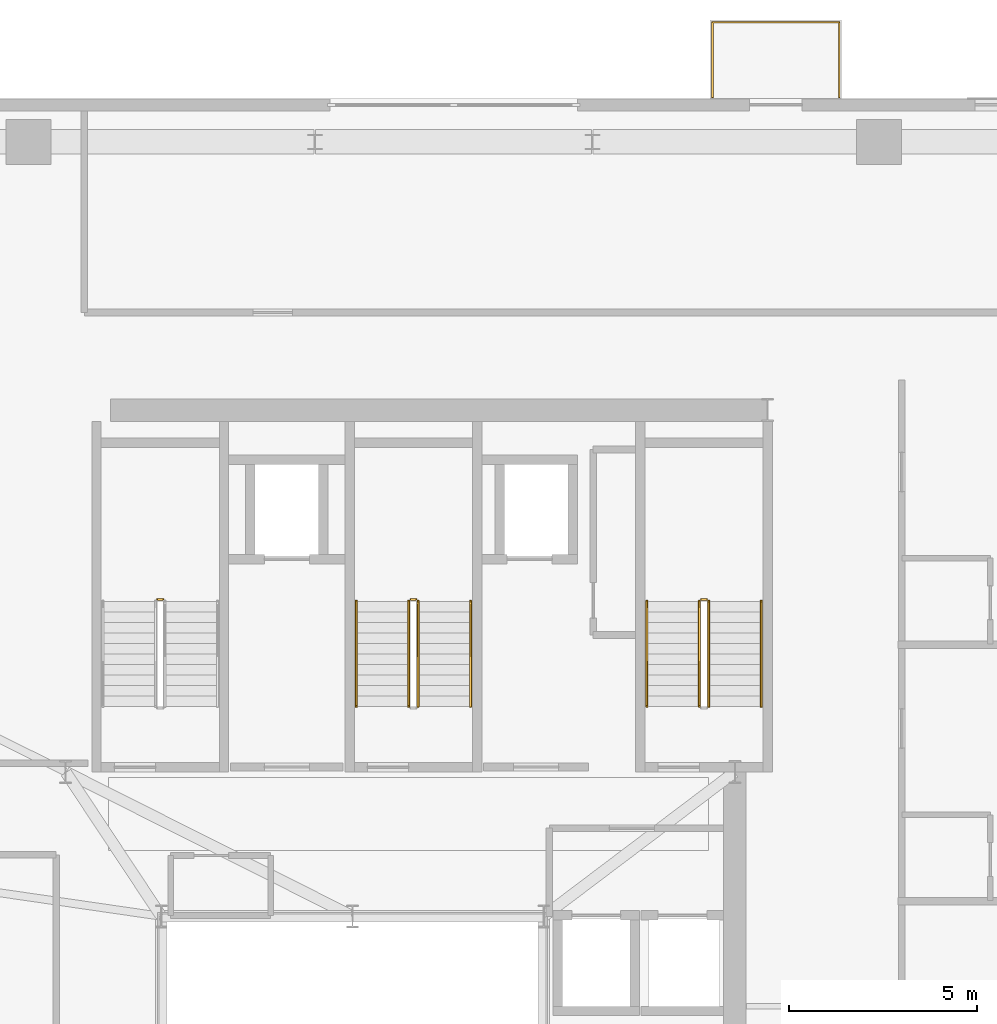
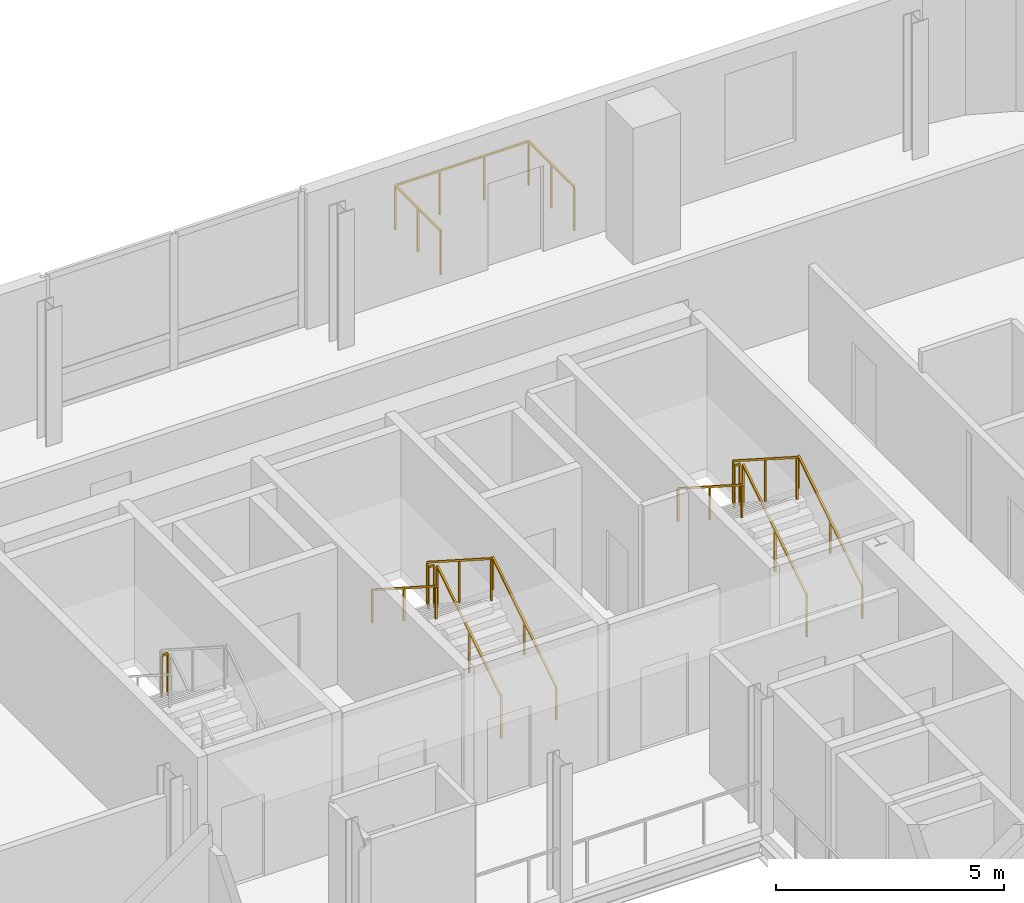
# One storey, part 15 of 15: 12 railings.
"""IFC4 building model written with IfcOpenShell, lengths in metres."""

from ifc_helpers import new_model, si_unit, direction, frame, origin, origin_2d, place, context, subcontext, project, spatial, rectangle, extrude, source, transform, mapped, material, type_object, element, save


model = new_model("IFC4")

# Units and contexts
model_context = context("Model", 3, precision=1e-05, world=origin(), true_north=direction((0.0, 1.0)))
body_context = subcontext(model_context, "Body", "Model", "MODEL_VIEW")
ifc_project = project(units=[si_unit("LENGTHUNIT", "METRE"), si_unit("AREAUNIT", "SQUARE_METRE"), si_unit("VOLUMEUNIT", "CUBIC_METRE"), si_unit("PLANEANGLEUNIT", "RADIAN"), si_unit("MASSUNIT", "GRAM", prefix="KILO")], contexts=[model_context])

# Site, building, storey
site_placement = place(None, origin())
site = spatial("IfcSite", under=ifc_project, at=site_placement, CompositionType="ELEMENT")
building_placement = place(site_placement, origin())
building = spatial("IfcBuilding", under=site, at=building_placement, Name="Vardaveli Station Tower", CompositionType="ELEMENT")
storey_placement = place(building_placement, frame((0.0, 0.0, 250.60009765625)))
storey = spatial("IfcBuildingStorey", under=building, at=storey_placement, Name="L64", CompositionType="ELEMENT", Elevation=250.60009765625)

# Railings
ifc_material_1 = material(Name="Laminated glass and stainless steel balustrade", Category="steel")
railing_type_1 = type_object("IfcRailingType", Name="RL-BAL-1200", PredefinedType="BALUSTRADE", material=ifc_material_1)
shared_shape_1 = source(origin(), body_context, "Body", "SweptSolid", [
    extrude(rectangle(XDim=0.048095703125, YDim=0.048095703125, at=origin_2d()), frame((0.0, 0.0, 1.17578125), z_axis=(0.0, 1.0, 0.0), x_axis=(-1.0, 0.0, 0.0)), (0.0, 0.0, 1.0), 2.0),
    extrude(rectangle(XDim=0.048095703125, YDim=0.048095703125, at=origin_2d()), frame((0.0, 2.0, 1.17578125), z_axis=(1.0, 0.0, 0.0), x_axis=(0.0, 1.0, 0.0)), (0.0, 0.0, 1.0), 3.3798828125),
    extrude(rectangle(XDim=0.048095703125, YDim=0.048095703125, at=origin_2d()), frame((3.3798828125, 2.0, 1.17578125), z_axis=(0.0, -1.0, 0.0), x_axis=(1.0, 0.0, 0.0)), (0.0, 0.0, 1.0), 2.0),
    extrude(rectangle(XDim=0.0419921875, YDim=0.0419921875, at=origin_2d()), origin(), (0.0, 0.0, 1.0), 1.15185546875),
    extrude(rectangle(XDim=0.0419921875, YDim=0.0419921875, at=origin_2d()), frame((0.0, 1.0, 0.0)), (0.0, 0.0, 1.0), 1.15185546875),
    extrude(rectangle(XDim=0.0419921875, YDim=0.0419921875, at=origin_2d()), frame((0.0, 2.0, 0.0)), (0.0, 0.0, 1.0), 1.15185546875),
    extrude(rectangle(XDim=0.0419921875, YDim=0.0419921875, at=origin_2d()), frame((1.126708984375, 2.0, 0.0)), (0.0, 0.0, 1.0), 1.15185546875),
    extrude(rectangle(XDim=0.0419921875, YDim=0.0419921875, at=origin_2d()), frame((2.253173828125, 2.0, 0.0)), (0.0, 0.0, 1.0), 1.15185546875),
    extrude(rectangle(XDim=0.0419921875, YDim=0.0419921875, at=origin_2d()), frame((3.3798828125, 2.0, 0.0)), (0.0, 0.0, 1.0), 1.15185546875),
    extrude(rectangle(XDim=0.0419921875, YDim=0.0419921875, at=origin_2d()), frame((3.3798828125, 1.0, 0.0)), (0.0, 0.0, 1.0), 1.15185546875),
    extrude(rectangle(XDim=0.0419921875, YDim=0.0419921875, at=origin_2d()), frame((3.3798828125, 0.0, 0.0)), (0.0, 0.0, 1.0), 1.15185546875),
])
railing_placement = place(storey_placement, frame((45.899658203125, 48.639892578125, 0.0)))
element("IfcRailing", 1, at=railing_placement, inside=storey, type_object=railing_type_1, Name="RL-LOG-L64-02", PredefinedType="BALUSTRADE", context=body_context, shape_type="MappedRepresentation", body=[
    mapped(shared_shape_1, transform((0.0, 0.0, 0.0), scale=1.0)),
])
ifc_material_2 = material(Name="Brushed AISI 316 stainless steel", Category="steel")
railing_type_2 = type_object("IfcRailingType", Name="RL-GUARD-1150", PredefinedType="GUARDRAIL", material=ifc_material_2)
shared_shape_2 = source(origin(), body_context, "Body", "SweptSolid", [
    extrude(rectangle(XDim=0.048095703125, YDim=0.048095703125, at=origin_2d()), frame((0.0, 0.0, 1.1259765625), z_axis=(-1.0, 0.0, 0.0), x_axis=(0.0, -1.0, 0.0)), (0.0, 0.0, 1.0), 0.14990234375),
    extrude(rectangle(XDim=0.0419921875, YDim=0.0419921875, at=origin_2d()), origin(), (0.0, 0.0, 1.0), 1.101806640625),
    extrude(rectangle(XDim=0.0419921875, YDim=0.0419921875, at=origin_2d()), frame((-0.14990234375, 0.0, 0.0)), (0.0, 0.0, 1.0), 1.101806640625),
])
for number, where, name in (
    (2, (31.25, 35.25, 1.974853515625), "L64 ST-1 stair guard 2"),
    (3, (38.0, 35.25, 1.974853515625), "L64 ST-2 stair guard 2"),
    (4, (45.75, 35.25, 1.974853515625), "L64 ST-3 stair guard 2"),
):
    element("IfcRailing", number, at=place(storey_placement, frame(where)), inside=storey, type_object=railing_type_2, Name=name, PredefinedType="GUARDRAIL", context=body_context, shape_type="MappedRepresentation", body=[
        mapped(shared_shape_2, transform((0.0, 0.0, 0.0), scale=1.0)),
    ])
shared_shape_3 = source(origin(), body_context, "Body", "SweptSolid", [
    extrude(rectangle(XDim=0.048095703125, YDim=0.048095703125, at=origin_2d()), frame((0.0, 0.0, 1.1259765625), z_axis=(0.0, 0.841809871826, 0.539774156196), x_axis=(-1.0, 0.0, 0.0)), (0.0, 0.0, 1.0), 3.326171875),
    extrude(rectangle(XDim=0.0419921875, YDim=0.0419921875, at=origin_2d()), origin(), (0.0, 0.0, 1.0), 1.101806640625),
    extrude(rectangle(XDim=0.0419921875, YDim=0.0419921875, at=origin_2d()), frame((0.0, 1.39990234375, 0.897705078125)), (0.0, 0.0, 1.0), 1.101806640625),
    extrude(rectangle(XDim=0.0419921875, YDim=0.0419921875, at=origin_2d()), frame((0.0, 2.800048828125, 1.79541015625)), (0.0, 0.0, 1.0), 1.101806640625),
])
for number, where, name in (
    (5, (38.050048828125, 32.39990234375, 0.179443359375), "L64 ST-2 stair guard 1"),
    (6, (45.800048828125, 32.39990234375, 0.179443359375), "L64 ST-3 stair guard 1"),
):
    element("IfcRailing", number, at=place(storey_placement, frame(where)), inside=storey, type_object=railing_type_2, Name=name, PredefinedType="GUARDRAIL", context=body_context, shape_type="MappedRepresentation", body=[
        mapped(shared_shape_3, transform((0.0, 0.0, 0.0), scale=1.0)),
    ])
shared_shape_4 = source(origin(), body_context, "Body", "SweptSolid", [
    extrude(rectangle(XDim=0.048095703125, YDim=0.048095703125, at=origin_2d()), frame((0.0, 0.0, 1.1259765625), z_axis=(0.0, -0.841809871826, 0.539774156196), x_axis=(1.0, 0.0, 0.0)), (0.0, 0.0, 1.0), 3.326171875),
    extrude(rectangle(XDim=0.0419921875, YDim=0.0419921875, at=origin_2d()), origin(), (0.0, 0.0, 1.0), 1.101806640625),
    extrude(rectangle(XDim=0.0419921875, YDim=0.0419921875, at=origin_2d()), frame((0.0, -1.39990234375, 0.897705078125)), (0.0, 0.0, 1.0), 1.101806640625),
    extrude(rectangle(XDim=0.0419921875, YDim=0.0419921875, at=origin_2d()), frame((0.0, -2.800048828125, 1.79541015625)), (0.0, 0.0, 1.0), 1.101806640625),
])
for number, where, name in (
    (7, (37.800048828125, 35.199951171875, 2.154541015625), "L64 ST-2 stair guard 3"),
    (8, (45.550048828125, 35.199951171875, 2.154541015625), "L64 ST-3 stair guard 3"),
):
    element("IfcRailing", number, at=place(storey_placement, frame(where)), inside=storey, type_object=railing_type_2, Name=name, PredefinedType="GUARDRAIL", context=body_context, shape_type="MappedRepresentation", body=[
        mapped(shared_shape_4, transform((0.0, 0.0, 0.0), scale=1.0)),
    ])
railing_type_3 = type_object("IfcRailingType", Name="RL-HAND-900", PredefinedType="HANDRAIL", material=ifc_material_2)
shared_shape_5 = source(origin(), body_context, "Body", "SweptSolid", [
    extrude(rectangle(XDim=0.048095703125, YDim=0.048095703125, at=origin_2d()), frame((0.0, 0.0, 0.8759765625), z_axis=(0.0, 0.841809871826, 0.539774156196), x_axis=(-1.0, 0.0, 0.0)), (0.0, 0.0, 1.0), 3.326171875),
    extrude(rectangle(XDim=0.0419921875, YDim=0.0419921875, at=origin_2d()), origin(), (0.0, 0.0, 1.0), 0.851806640625),
    extrude(rectangle(XDim=0.0419921875, YDim=0.0419921875, at=origin_2d()), frame((0.0, 1.39990234375, 0.897705078125)), (0.0, 0.0, 1.0), 0.851806640625),
    extrude(rectangle(XDim=0.0419921875, YDim=0.0419921875, at=origin_2d()), frame((0.0, 2.800048828125, 1.79541015625)), (0.0, 0.0, 1.0), 0.851806640625),
])
for number, where, name in (
    (9, (39.449951171875, 32.39990234375, 0.179443359375), "L64 ST-2 stair handrail 1"),
    (10, (47.199951171875, 32.39990234375, 0.179443359375), "L64 ST-3 stair handrail 1"),
):
    element("IfcRailing", number, at=place(storey_placement, frame(where)), inside=storey, type_object=railing_type_3, Name=name, PredefinedType="HANDRAIL", context=body_context, shape_type="MappedRepresentation", body=[
        mapped(shared_shape_5, transform((0.0, 0.0, 0.0), scale=1.0)),
    ])
shared_shape_6 = source(origin(), body_context, "Body", "SweptSolid", [
    extrude(rectangle(XDim=0.048095703125, YDim=0.048095703125, at=origin_2d()), frame((0.0, 0.0, 0.8759765625), z_axis=(0.0, -0.841809871826, 0.539774156196), x_axis=(1.0, 0.0, 0.0)), (0.0, 0.0, 1.0), 3.326171875),
    extrude(rectangle(XDim=0.0419921875, YDim=0.0419921875, at=origin_2d()), origin(), (0.0, 0.0, 1.0), 0.851806640625),
    extrude(rectangle(XDim=0.0419921875, YDim=0.0419921875, at=origin_2d()), frame((0.0, -1.39990234375, 0.897705078125)), (0.0, 0.0, 1.0), 0.851806640625),
    extrude(rectangle(XDim=0.0419921875, YDim=0.0419921875, at=origin_2d()), frame((0.0, -2.800048828125, 1.79541015625)), (0.0, 0.0, 1.0), 0.851806640625),
])
for number, where, name in (
    (11, (36.39990234375, 35.199951171875, 2.154541015625), "L64 ST-2 stair handrail 2"),
    (12, (44.14990234375, 35.199951171875, 2.154541015625), "L64 ST-3 stair handrail 2"),
):
    element("IfcRailing", number, at=place(storey_placement, frame(where)), inside=storey, type_object=railing_type_3, Name=name, PredefinedType="HANDRAIL", context=body_context, shape_type="MappedRepresentation", body=[
        mapped(shared_shape_6, transform((0.0, 0.0, 0.0), scale=1.0)),
    ])

save(model, "model.ifc")
